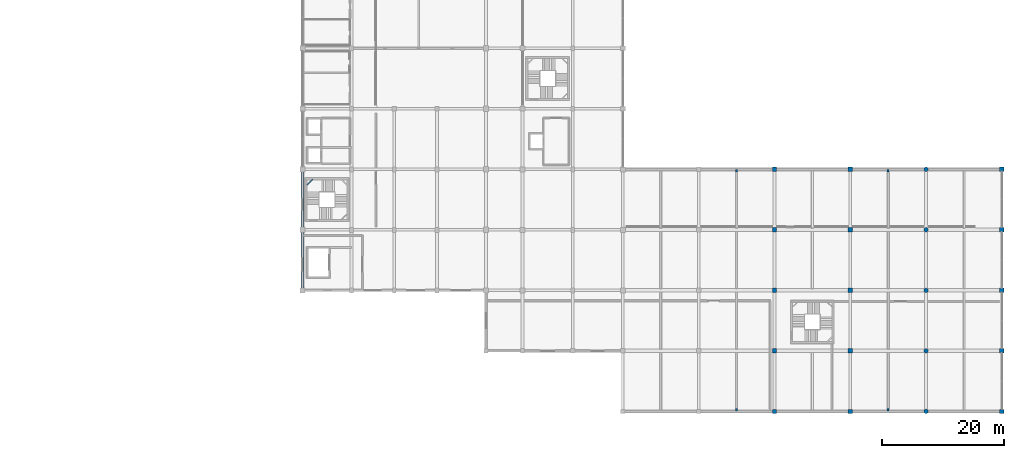
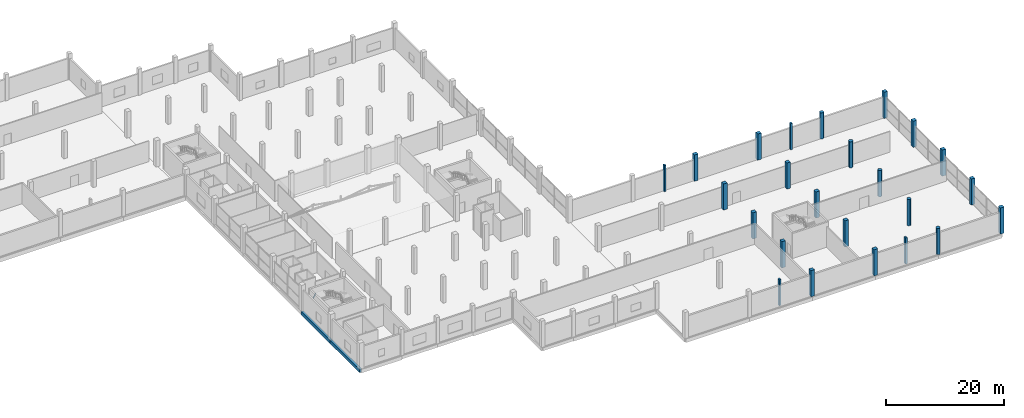
# One storey, part 3 of 72: 24 columns, 3 beams.
"""IFC4 building model written with IfcOpenShell, lengths in metres."""

from ifc_helpers import new_model, si_unit, direction, frame, origin, origin_2d, place, context, subcontext, project, spatial, rectangle, hollow_rectangle, circle, extrude, material, material_profile, profile_set, type_object, element, save


model = new_model("IFC4")

# Units and contexts
model_context = context("Model", 3, precision=1e-05, world=origin(), true_north=direction((0.0, 1.0)))
body_context = subcontext(model_context, "Body", "Model", "MODEL_VIEW")
ifc_project = project(units=[si_unit("LENGTHUNIT", "METRE"), si_unit("AREAUNIT", "SQUARE_METRE"), si_unit("VOLUMEUNIT", "CUBIC_METRE"), si_unit("PLANEANGLEUNIT", "RADIAN"), si_unit("MASSUNIT", "GRAM", prefix="KILO")], contexts=[model_context])

# Site, building, storey
site_placement = place(None, origin())
site = spatial("IfcSite", under=ifc_project, at=site_placement, CompositionType="ELEMENT")
building_placement = place(site_placement, origin())
building = spatial("IfcBuilding", under=site, at=building_placement, Name="Sillaruma Civic Art Gallery", CompositionType="ELEMENT")
storey_placement = place(building_placement, frame((0.0, 0.0, 10.8798828125)))
storey = spatial("IfcBuildingStorey", under=building, at=storey_placement, Name="L02", CompositionType="ELEMENT", Elevation=10.8798828125)

# Columns
ifc_material_1 = material(Name="Concrete H40 (40 MPa)", Category="concrete")
ifc_material_profile_1 = material_profile(ifc_material_1, rectangle(XDim=0.699951171875, YDim=0.699951171875, at=origin_2d()), Name="RC700x700")
ifc_profile_set_1 = profile_set([ifc_material_profile_1], Name="Concrete H40 (40 MPa)")
column_type_1 = type_object("IfcColumnType", Name="COL-COLUMN-RC700x700", PredefinedType="COLUMN", material=ifc_profile_set_1)
for number, where, z_axis, x_axis, name in (
    (1, (139.199951171875, 0.0, 0.0), (0.0, 0.0, 1.0), (1.0, 0.0, 0.0), "Column C-06 (L02:Q1)"),
    (2, (139.199951171875, 9.89990234375, 0.0), (0.0, 0.0, 1.0), (1.0, 0.0, 0.0), "Column C-06 (L02:Q2)"),
    (3, (139.199951171875, 19.800048828125, 0.0), (0.0, 0.0, 1.0), (1.0, 0.0, 0.0), "Column C-06 (L02:Q3)"),
    (4, (139.199951171875, 29.699951171875, 0.0), (0.0, 0.0, 1.0), (1.0, 0.0, 0.0), "Column C-06 (L02:Q4)"),
    (5, (139.199951171875, 39.60009765625, 0.0), (0.0, 0.0, 1.0), (1.0, 0.0, 0.0), "Column C-06 (L02:Q5)"),
    (6, (151.60009765625, 0.0, 0.0), (0.0, 0.0, 1.0), (1.0, 0.0, 0.0), "Column C-06 (L02:R1)"),
    (7, (151.60009765625, 9.89990234375, 0.0), (0.0, 0.0, 1.0), (1.0, 0.0, 0.0), "Column C-06 (L02:R2)"),
    (8, (151.60009765625, 19.800048828125, 0.0), (0.0, 0.0, 1.0), (1.0, 0.0, 0.0), "Column C-06 (L02:R3)"),
    (9, (151.60009765625, 29.699951171875, 0.0), (0.0, 0.0, 1.0), (1.0, 0.0, 0.0), "Column C-06 (L02:R4)"),
    (10, (151.60009765625, 39.60009765625, 0.0), (0.0, 0.0, 1.0), (1.0, 0.0, 0.0), "Column C-06 (L02:R5)"),
    (11, (176.39990234375, 0.0, 0.0), (0.0, 0.0, 1.0), (1.0, 0.0, 0.0), "Column C-06 (L02:T1)"),
    (12, (176.39990234375, 9.89990234375, 0.0), (0.0, 0.0, 1.0), (1.0, 0.0, 0.0), "Column C-06 (L02:T2)"),
    (13, (176.39990234375, 19.800048828125, 0.0), (0.0, 0.0, 1.0), (1.0, 0.0, 0.0), "Column C-06 (L02:T3)"),
    (14, (176.39990234375, 29.699951171875, 0.0), (0.0, 0.0, 1.0), (1.0, 0.0, 0.0), "Column C-06 (L02:T4)"),
    (15, (176.39990234375, 39.60009765625, 0.0), (0.0, 0.0, 1.0), (1.0, 0.0, 0.0), "Column C-06 (L02:T5)"),
):
    element("IfcColumn", number, at=place(storey_placement, frame(where, z_axis=z_axis, x_axis=x_axis)), inside=storey, type_object=column_type_1, Name=name, PredefinedType="COLUMN", context=body_context, shape_type="SweptSolid", body=[
        extrude(rectangle(XDim=0.699951171875, YDim=0.699951171875, at=origin_2d()), origin(), (0.0, 0.0, 1.0), 5.440185546875),
    ])
ifc_material_profile_2 = material_profile(ifc_material_1, circle(Radius=0.360107421875, at=origin_2d()), Name="RCC720")
ifc_profile_set_2 = profile_set([ifc_material_profile_2], Name="Concrete H40 (40 MPa)")
column_type_2 = type_object("IfcColumnType", Name="COL-COLUMN-RCC720", PredefinedType="COLUMN", material=ifc_profile_set_2)
for number, where, z_axis, x_axis, name in (
    (16, (164.0, 0.0, 0.0), (0.0, 0.0, 1.0), (1.0, 0.0, 0.0), "Column CC-02 (L02:S1)"),
    (17, (164.0, 9.89990234375, 0.0), (0.0, 0.0, 1.0), (1.0, 0.0, 0.0), "Column CC-02 (L02:S2)"),
    (18, (164.0, 19.800048828125, 0.0), (0.0, 0.0, 1.0), (1.0, 0.0, 0.0), "Column CC-02 (L02:S3)"),
    (19, (164.0, 29.699951171875, 0.0), (0.0, 0.0, 1.0), (1.0, 0.0, 0.0), "Column CC-02 (L02:S4)"),
    (20, (164.0, 39.60009765625, 0.0), (0.0, 0.0, 1.0), (1.0, 0.0, 0.0), "Column CC-02 (L02:S5)"),
):
    element("IfcColumn", number, at=place(storey_placement, frame(where, z_axis=z_axis, x_axis=x_axis)), inside=storey, type_object=column_type_2, Name=name, PredefinedType="COLUMN", context=body_context, shape_type="SweptSolid", body=[
        extrude(circle(Radius=0.360107421875, at=origin_2d()), origin(), (0.0, 0.0, 1.0), 5.440185546875),
    ])
ifc_material_profile_3 = material_profile(ifc_material_1, rectangle(XDim=0.340087890625, YDim=0.449951171875, at=origin_2d()), Name="RC450x340")
ifc_profile_set_3 = profile_set([ifc_material_profile_3], Name="Concrete H40 (40 MPa)")
column_type_3 = type_object("IfcColumnType", Name="COL-PILASTER-RC450x340", PredefinedType="PILASTER", material=ifc_profile_set_3)
for number, where, z_axis, x_axis, name in (
    (21, (133.0, 0.25, 0.0), (0.0, 0.0, 1.0), (1.0, 0.0, 0.0), "Pilaster CP-02 (L02:PIL-E1)"),
    (22, (157.800048828125, 0.25, 0.0), (0.0, 0.0, 1.0), (1.0, 0.0, 0.0), "Pilaster CP-02 (L02:PIL-E2)"),
    (23, (133.0, 39.35009765625, 0.0), (0.0, 0.0, 1.0), (1.0, 0.0, 0.0), "Pilaster CP-02 (L02:PIL-E3)"),
    (24, (157.800048828125, 39.35009765625, 0.0), (0.0, 0.0, 1.0), (1.0, 0.0, 0.0), "Pilaster CP-02 (L02:PIL-E4)"),
):
    element("IfcColumn", number, at=place(storey_placement, frame(where, z_axis=z_axis, x_axis=x_axis)), inside=storey, type_object=column_type_3, Name=name, PredefinedType="PILASTER", context=body_context, shape_type="SweptSolid", body=[
        extrude(rectangle(XDim=0.340087890625, YDim=0.449951171875, at=origin_2d()), origin(), (0.0, 0.0, 1.0), 5.440185546875),
    ])

# Beams
ifc_material_2 = material(Name="Structural Steel ASTM A500 Gr.C", Category="steel")
ifc_material_profile_4 = material_profile(ifc_material_2, hollow_rectangle(XDim=0.080078125, YDim=0.159912109375, WallThickness=0.008056640625, InnerFilletRadius=0.008056640625, OuterFilletRadius=0.01611328125, at=origin_2d()), Name="HSS160x80x8")
ifc_profile_set_4 = profile_set([ifc_material_profile_4], Name="Structural Steel ASTM A500 Gr.C")
beam_type_1 = type_object("IfcBeamType", Name="BM-LND-HSS160", PredefinedType="BEAM", material=ifc_profile_set_4)
beam_1_placement = place(storey_placement, frame((62.719970703125, 37.0400390625, 3.800048828125), z_axis=(0.707203758046, 0.707009791025, 0.0), x_axis=(-0.707009791025, 0.707203758046, 0.0)))
element("IfcBeam", 25, at=beam_1_placement, inside=storey, type_object=beam_type_1, Name="Stair Corner Landing Trimmer Beam (ST-03-L02-3)", PredefinedType="BEAM", context=body_context, shape_type="SweptSolid", body=[
    extrude(hollow_rectangle(XDim=0.080078125, YDim=0.159912109375, WallThickness=0.008056640625, InnerFilletRadius=0.008056640625, OuterFilletRadius=0.01611328125, at=origin_2d()), origin(), (0.0, 0.0, 1.0), 1.2587890625),
])
ifc_material_3 = material(Name="Concrete H35 (35 MPa)", Category="concrete")
ifc_material_profile_5 = material_profile(ifc_material_3, rectangle(XDim=0.449951171875, YDim=0.699951171875, at=origin_2d()), Name="RCB450x700")
ifc_profile_set_5 = profile_set([ifc_material_profile_5], Name="Concrete H35 (35 MPa)")
beam_type_2 = type_object("IfcBeamType", Name="BM-SPANDREL-RCB450x700", PredefinedType="SPANDREL", material=ifc_profile_set_5)
beam_2_placement = place(storey_placement, frame((62.0, 19.800048828125, -0.60986328125), z_axis=(0.0, 1.0, 0.0), x_axis=(-1.0, 0.0, 0.0)))
element("IfcBeam", 26, at=beam_2_placement, inside=storey, type_object=beam_type_2, Name="Beam BS-03 (L01:F:3-4)", PredefinedType="SPANDREL", context=body_context, shape_type="SweptSolid", body=[
    extrude(rectangle(XDim=0.449951171875, YDim=0.699951171875, at=origin_2d()), origin(), (0.0, 0.0, 1.0), 9.89990234375),
])
beam_3_placement = place(storey_placement, frame((62.0, 29.699951171875, -0.60986328125), z_axis=(0.0, 1.0, 0.0), x_axis=(-1.0, 0.0, 0.0)))
element("IfcBeam", 27, at=beam_3_placement, inside=storey, type_object=beam_type_2, Name="Beam BS-03 (L01:F:4-5)", PredefinedType="SPANDREL", context=body_context, shape_type="SweptSolid", body=[
    extrude(rectangle(XDim=0.449951171875, YDim=0.699951171875, at=origin_2d()), origin(), (0.0, 0.0, 1.0), 9.900146484375),
])

save(model, "model.ifc")
